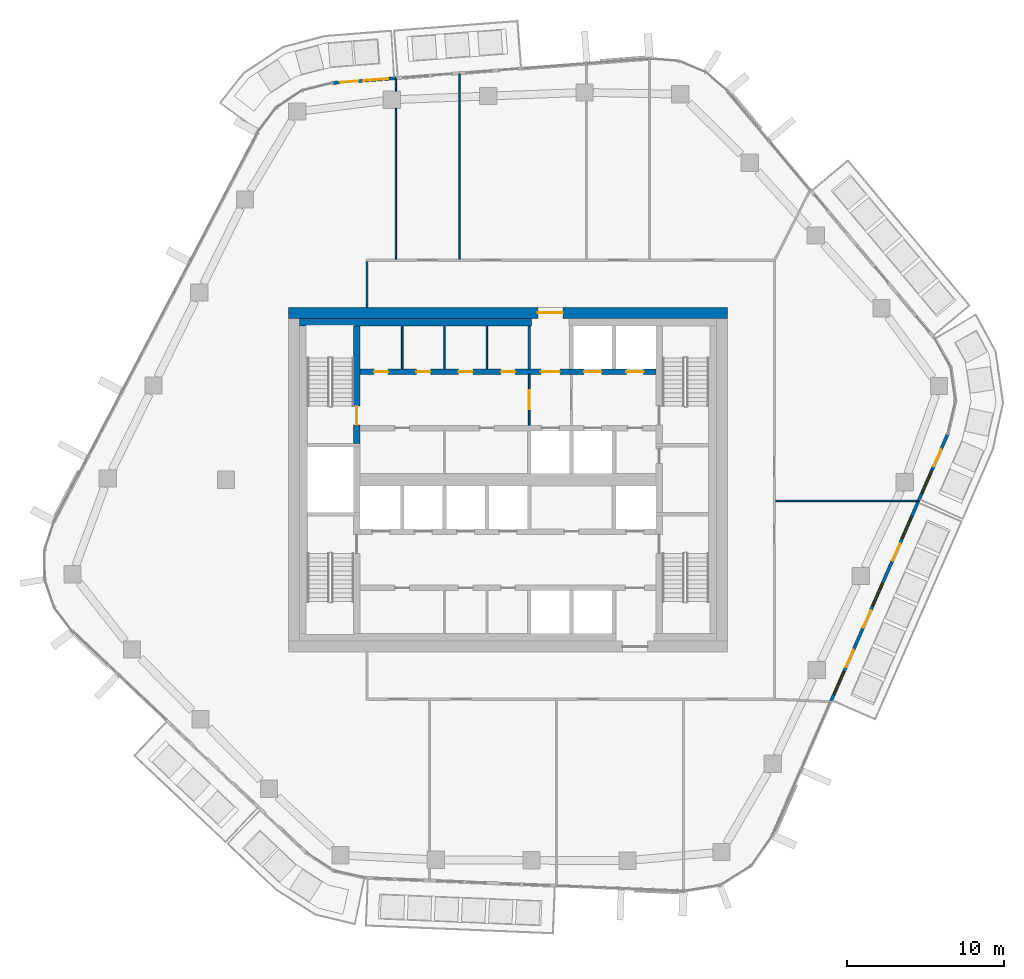
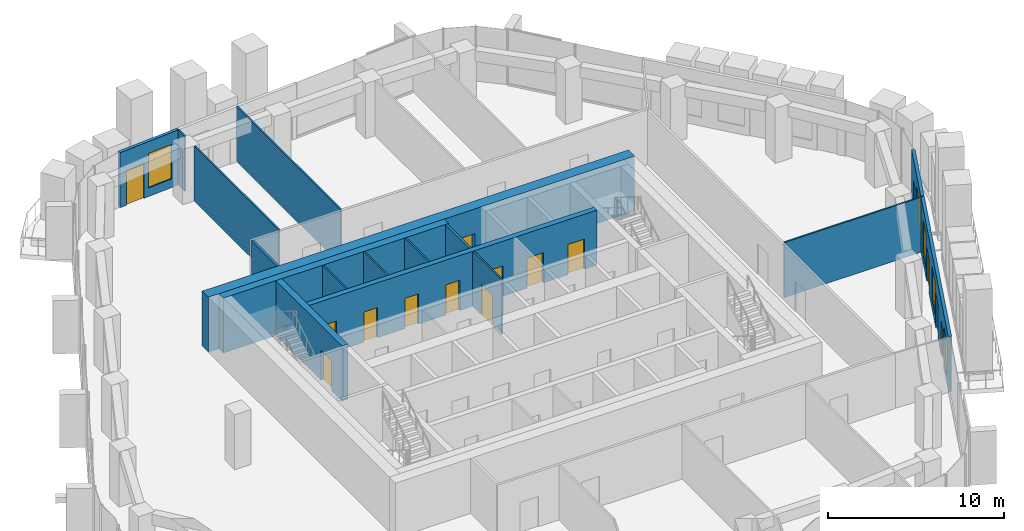
# One storey, part 12 of 20: 17 walls, 15 doors, 5 windows, 20 openings.
"""IFC4 building model written with IfcOpenShell, lengths in metres."""

from ifc_helpers import new_model, si_unit, direction, frame, frame_2d, origin, place, context, subcontext, project, spatial, rectangle, extrude, material, layer, layer_set, type_object, element, fill, save


model = new_model("IFC4")

# Units and contexts
model_context = context("Model", 3, precision=1e-05, world=origin(), true_north=direction((0.0, 1.0)))
body_context = subcontext(model_context, "Body", "Model", "MODEL_VIEW")
ifc_project = project(units=[si_unit("LENGTHUNIT", "METRE"), si_unit("AREAUNIT", "SQUARE_METRE"), si_unit("VOLUMEUNIT", "CUBIC_METRE"), si_unit("PLANEANGLEUNIT", "RADIAN"), si_unit("MASSUNIT", "GRAM", prefix="KILO")], contexts=[model_context])

# Site, building, storey
site_placement = place(None, origin())
site = spatial("IfcSite", under=ifc_project, at=site_placement, CompositionType="ELEMENT")
building_placement = place(site_placement, origin())
building = spatial("IfcBuilding", under=site, at=building_placement, Name="Dongbaek Canopy Tower", CompositionType="ELEMENT")
storey_placement = place(building_placement, frame((0.0, 0.0, 249.60009765625)))
storey = spatial("IfcBuildingStorey", under=building, at=storey_placement, Name="L52", CompositionType="ELEMENT", Elevation=249.60009765625)

# Wall, openings, doors
ifc_material_1 = material(Name="Concrete C60/75", Category="concrete")
ifc_layer_1 = layer(ifc_material_1, 0.35009765625)
ifc_layer_set_1 = layer_set([ifc_layer_1], Name="Core lobby wall 350 Concrete C60/75")
wall_type_1 = type_object("IfcWallType", Name="Core lobby wall 350 Concrete C60/75", PredefinedType="SHEAR", material=ifc_layer_set_1)
wall_1_placement = place(storey_placement, frame((-9.449951171875, 6.89990234375, 0.0), z_axis=(0.0, 0.0, 1.0), x_axis=(1.0, 0.0, 0.0)))
wall_1 = element("IfcWall", 1, at=wall_1_placement, inside=storey, type_object=wall_type_1, Name="Core wall", PredefinedType="SHEAR", context=body_context, shape_type="SweptSolid", body=[
    extrude(rectangle(XDim=18.89990234375, YDim=0.35009765625, at=frame_2d((9.449951171875, 0.0))), origin(), (0.0, 0.0, 1.0), 3.81982421875),
])
opening_1_placement = place(wall_1_placement, frame((11.550048828125, 0.0, 0.0)))
opening_1 = element("IfcOpeningElement", 2, at=opening_1_placement, cuts=wall_1, Name="Opening L52-D013", PredefinedType="OPENING", context=body_context, shape_type="SweptSolid", body=[
    extrude(rectangle(XDim=1.199951171875, YDim=2.10009765625, at=frame_2d((0.60009765625, 1.050048828125))), frame((0.0, 0.18505859375, 0.0), z_axis=(0.0, -1.0, 0.0), x_axis=(1.0, 0.0, 0.0)), (0.0, 0.0, 1.0), 0.3701171875),
])
opening_2_placement = place(wall_1_placement, frame((14.300048828125, 0.0, 0.0)))
opening_2 = element("IfcOpeningElement", 3, at=opening_2_placement, cuts=wall_1, Name="Opening L52-D014", PredefinedType="OPENING", context=body_context, shape_type="SweptSolid", body=[
    extrude(rectangle(XDim=1.10009765625, YDim=2.10009765625, at=frame_2d((0.550048828125, 1.050048828125))), frame((0.0, 0.18505859375, 0.0), z_axis=(0.0, -1.0, 0.0), x_axis=(1.0, 0.0, 0.0)), (0.0, 0.0, 1.0), 0.3701171875),
])
opening_3_placement = place(wall_1_placement, frame((17.0, 0.0, 0.0)))
opening_3 = element("IfcOpeningElement", 4, at=opening_3_placement, cuts=wall_1, Name="Opening L52-D015", PredefinedType="OPENING", context=body_context, shape_type="SweptSolid", body=[
    extrude(rectangle(XDim=1.10009765625, YDim=2.10009765625, at=frame_2d((0.550048828125, 1.050048828125))), frame((0.0, 0.18505859375, 0.0), z_axis=(0.0, -1.0, 0.0), x_axis=(1.0, 0.0, 0.0)), (0.0, 0.0, 1.0), 0.3701171875),
])
opening_4_placement = place(wall_1_placement, frame((0.89990234375, 0.0, 0.0)))
opening_4 = element("IfcOpeningElement", 5, at=opening_4_placement, cuts=wall_1, Name="Opening L52-D026", PredefinedType="OPENING", context=body_context, shape_type="SweptSolid", body=[
    extrude(rectangle(XDim=0.89990234375, YDim=2.10009765625, at=frame_2d((0.449951171875, 1.050048828125))), frame((0.0, 0.18505859375, 0.0), z_axis=(0.0, -1.0, 0.0), x_axis=(1.0, 0.0, 0.0)), (0.0, 0.0, 1.0), 0.3701171875),
])
opening_5_placement = place(wall_1_placement, frame((3.60009765625, 0.0, 0.0)))
opening_5 = element("IfcOpeningElement", 6, at=opening_5_placement, cuts=wall_1, Name="Opening L52-D027", PredefinedType="OPENING", context=body_context, shape_type="SweptSolid", body=[
    extrude(rectangle(XDim=0.89990234375, YDim=2.10009765625, at=frame_2d((0.449951171875, 1.050048828125))), frame((0.0, 0.18505859375, 0.0), z_axis=(0.0, -1.0, 0.0), x_axis=(1.0, 0.0, 0.0)), (0.0, 0.0, 1.0), 0.3701171875),
])
opening_6_placement = place(wall_1_placement, frame((6.300048828125, 0.0, 0.0)))
opening_6 = element("IfcOpeningElement", 7, at=opening_6_placement, cuts=wall_1, Name="Opening L52-D028", PredefinedType="OPENING", context=body_context, shape_type="SweptSolid", body=[
    extrude(rectangle(XDim=0.89990234375, YDim=2.10009765625, at=frame_2d((0.449951171875, 1.050048828125))), frame((0.0, 0.18505859375, 0.0), z_axis=(0.0, -1.0, 0.0), x_axis=(1.0, 0.0, 0.0)), (0.0, 0.0, 1.0), 0.3701171875),
])
opening_7_placement = place(wall_1_placement, frame((9.0, 0.0, 0.0)))
opening_7 = element("IfcOpeningElement", 8, at=opening_7_placement, cuts=wall_1, Name="Opening L52-D029", PredefinedType="OPENING", context=body_context, shape_type="SweptSolid", body=[
    extrude(rectangle(XDim=0.89990234375, YDim=2.10009765625, at=frame_2d((0.449951171875, 1.050048828125))), frame((0.0, 0.18505859375, 0.0), z_axis=(0.0, -1.0, 0.0), x_axis=(1.0, 0.0, 0.0)), (0.0, 0.0, 1.0), 0.3701171875),
])
ifc_material_2 = material(Name="Steel", Category="steel")
door_type_1 = type_object("IfcDoorType", Name="Core room door 900 x 2100", OperationType="SINGLE_SWING_LEFT", PredefinedType="DOOR", material=ifc_material_2)
door_1_placement = place(opening_4_placement, origin())
door_1 = element("IfcDoor", 9, at=door_1_placement, inside=storey, type_object=door_type_1, Name="Door L52-D026", OperationType="SINGLE_SWING_RIGHT", OverallHeight=2.10009765625, OverallWidth=0.89990234375, PredefinedType="DOOR", context=body_context, shape_type="SweptSolid", body=[
    extrude(rectangle(XDim=0.89990234375, YDim=2.10009765625, at=frame_2d((0.449951171875, 1.050048828125))), frame((0.0, 0.02490234375, 0.0), z_axis=(0.0, -1.0, 0.0), x_axis=(1.0, 0.0, 0.0)), (0.0, 0.0, 1.0), 0.050048828125),
])
fill(opening_4, door_1)
door_2_placement = place(opening_5_placement, origin())
door_2 = element("IfcDoor", 10, at=door_2_placement, inside=storey, type_object=door_type_1, Name="Door L52-D027", OperationType="SINGLE_SWING_LEFT", OverallHeight=2.10009765625, OverallWidth=0.89990234375, PredefinedType="DOOR", context=body_context, shape_type="SweptSolid", body=[
    extrude(rectangle(XDim=0.89990234375, YDim=2.10009765625, at=frame_2d((0.449951171875, 1.050048828125))), frame((0.0, 0.02490234375, 0.0), z_axis=(0.0, -1.0, 0.0), x_axis=(1.0, 0.0, 0.0)), (0.0, 0.0, 1.0), 0.050048828125),
])
fill(opening_5, door_2)
door_3_placement = place(opening_6_placement, origin())
door_3 = element("IfcDoor", 11, at=door_3_placement, inside=storey, type_object=door_type_1, Name="Door L52-D028", OperationType="SINGLE_SWING_RIGHT", OverallHeight=2.10009765625, OverallWidth=0.89990234375, PredefinedType="DOOR", context=body_context, shape_type="SweptSolid", body=[
    extrude(rectangle(XDim=0.89990234375, YDim=2.10009765625, at=frame_2d((0.449951171875, 1.050048828125))), frame((0.0, 0.02490234375, 0.0), z_axis=(0.0, -1.0, 0.0), x_axis=(1.0, 0.0, 0.0)), (0.0, 0.0, 1.0), 0.050048828125),
])
fill(opening_6, door_3)
door_4_placement = place(opening_7_placement, origin())
door_4 = element("IfcDoor", 12, at=door_4_placement, inside=storey, type_object=door_type_1, Name="Door L52-D029", OperationType="SINGLE_SWING_LEFT", OverallHeight=2.10009765625, OverallWidth=0.89990234375, PredefinedType="DOOR", context=body_context, shape_type="SweptSolid", body=[
    extrude(rectangle(XDim=0.89990234375, YDim=2.10009765625, at=frame_2d((0.449951171875, 1.050048828125))), frame((0.0, 0.02490234375, 0.0), z_axis=(0.0, -1.0, 0.0), x_axis=(1.0, 0.0, 0.0)), (0.0, 0.0, 1.0), 0.050048828125),
])
fill(opening_7, door_4)
ifc_material_3 = material(Name="Steel", Category="steel")
door_type_2 = type_object("IfcDoorType", Name="Fire lobby door 1200 x 2100", OperationType="SINGLE_SWING_LEFT", PredefinedType="DOOR", material=ifc_material_3)
door_5_placement = place(opening_1_placement, origin())
door_5 = element("IfcDoor", 13, at=door_5_placement, inside=storey, type_object=door_type_2, Name="Door L52-D013", OperationType="SINGLE_SWING_LEFT", OverallHeight=2.10009765625, OverallWidth=1.199951171875, PredefinedType="DOOR", context=body_context, shape_type="SweptSolid", body=[
    extrude(rectangle(XDim=1.199951171875, YDim=2.10009765625, at=frame_2d((0.60009765625, 1.050048828125))), frame((0.0, 0.02490234375, 0.0), z_axis=(0.0, -1.0, 0.0), x_axis=(1.0, 0.0, 0.0)), (0.0, 0.0, 1.0), 0.050048828125),
])
fill(opening_1, door_5)
ifc_material_4 = material(Name="Stainless steel", Category="steel")
door_type_3 = type_object("IfcDoorType", Name="Lift landing door 1100 x 2100", OperationType="DOUBLE_DOOR_SLIDING", PredefinedType="DOOR", material=ifc_material_4)
door_6_placement = place(opening_2_placement, origin())
door_6 = element("IfcDoor", 14, at=door_6_placement, inside=storey, type_object=door_type_3, Name="Landing door FF1", OperationType="DOUBLE_DOOR_SLIDING", OverallHeight=2.10009765625, OverallWidth=1.10009765625, PredefinedType="DOOR", context=body_context, shape_type="SweptSolid", body=[
    extrude(rectangle(XDim=1.10009765625, YDim=2.10009765625, at=frame_2d((0.550048828125, 1.050048828125))), frame((0.0, 0.02490234375, 0.0), z_axis=(0.0, -1.0, 0.0), x_axis=(1.0, 0.0, 0.0)), (0.0, 0.0, 1.0), 0.050048828125),
])
fill(opening_2, door_6)
door_7_placement = place(opening_3_placement, origin())
door_7 = element("IfcDoor", 15, at=door_7_placement, inside=storey, type_object=door_type_3, Name="Landing door FF2", OperationType="DOUBLE_DOOR_SLIDING", OverallHeight=2.10009765625, OverallWidth=1.10009765625, PredefinedType="DOOR", context=body_context, shape_type="SweptSolid", body=[
    extrude(rectangle(XDim=1.10009765625, YDim=2.10009765625, at=frame_2d((0.550048828125, 1.050048828125))), frame((0.0, 0.02490234375, 0.0), z_axis=(0.0, -1.0, 0.0), x_axis=(1.0, 0.0, 0.0)), (0.0, 0.0, 1.0), 0.050048828125),
])
fill(opening_3, door_7)

# Wall, opening, door
ifc_material_5 = material(Name="Concrete C70/85", Category="concrete")
ifc_layer_2 = layer(ifc_material_5, 0.699951171875)
ifc_layer_set_2 = layer_set([ifc_layer_2], Name="Core outer wall 700 Concrete C70/85")
wall_type_2 = type_object("IfcWallType", Name="Core outer wall 700 Concrete C70/85", PredefinedType="SHEAR", material=ifc_layer_set_2)
wall_2_placement = place(storey_placement, frame((-14.0, 10.64990234375, 0.0), z_axis=(0.0, 0.0, 1.0), x_axis=(1.0, 0.0, 0.0)))
wall_2 = element("IfcWall", 16, at=wall_2_placement, inside=storey, type_object=wall_type_2, Name="Core wall", PredefinedType="SHEAR", context=body_context, shape_type="SweptSolid", body=[
    extrude(rectangle(XDim=28.0, YDim=0.699951171875, at=frame_2d((14.0, 0.0))), origin(), (0.0, 0.0, 1.0), 3.81982421875),
])
opening_8_placement = place(wall_2_placement, frame((15.89990234375, 0.0, 0.0)))
opening_8 = element("IfcOpeningElement", 17, at=opening_8_placement, cuts=wall_2, Name="Opening L52-D012", PredefinedType="OPENING", context=body_context, shape_type="SweptSolid", body=[
    extrude(rectangle(XDim=1.60009765625, YDim=2.10009765625, at=frame_2d((0.800048828125, 1.050048828125))), frame((0.0, 0.35986328125, 0.0), z_axis=(0.0, -1.0, 0.0), x_axis=(1.0, 0.0, 0.0)), (0.0, 0.0, 1.0), 0.719970703125),
])
ifc_material_6 = material(Name="Steel", Category="steel")
door_type_4 = type_object("IfcDoorType", Name="Core exit door 1600 x 2100", OperationType="DOUBLE_DOOR_SINGLE_SWING", PredefinedType="DOOR", material=ifc_material_6)
door_8_placement = place(opening_8_placement, origin())
door_8 = element("IfcDoor", 18, at=door_8_placement, inside=storey, type_object=door_type_4, Name="Core exit door", OperationType="DOUBLE_DOOR_SINGLE_SWING", OverallHeight=2.10009765625, OverallWidth=1.60009765625, PredefinedType="DOOR", context=body_context, shape_type="SweptSolid", body=[
    extrude(rectangle(XDim=1.60009765625, YDim=2.10009765625, at=frame_2d((0.800048828125, 1.050048828125))), frame((0.0, 0.02490234375, 0.0), z_axis=(0.0, -1.0, 0.0), x_axis=(1.0, 0.0, 0.0)), (0.0, 0.0, 1.0), 0.050048828125),
])
fill(opening_8, door_8)

# Walls
ifc_material_7 = material(Name="Concrete C60/75", Category="concrete")
ifc_layer_3 = layer(ifc_material_7, 0.5)
ifc_layer_set_3 = layer_set([ifc_layer_3], Name="Core wall lining 500 Concrete C60/75")
wall_type_3 = type_object("IfcWallType", Name="Core wall lining 500 Concrete C60/75", PredefinedType="SHEAR", material=ifc_layer_set_3)
wall_3_placement = place(storey_placement, frame((-13.300048828125, 10.050048828125, 0.0), z_axis=(0.0, 0.0, 1.0), x_axis=(1.0, 0.0, 0.0)))
element("IfcWall", 19, at=wall_3_placement, inside=storey, type_object=wall_type_3, Name="Core wall lining", PredefinedType="SHEAR", context=body_context, shape_type="SweptSolid", body=[
    extrude(rectangle(XDim=14.800048828125, YDim=0.5, at=frame_2d((7.39990234375, 0.0))), origin(), (0.0, 0.0, 1.0), 3.81982421875),
])
ifc_material_8 = material(Name="Gypsum board partition, steel stud, 2 x 15 mm fire board", Category="steel")
ifc_layer_4 = layer(ifc_material_8, 0.14990234375)
ifc_layer_set_4 = layer_set([ifc_layer_4], Name="Fire-rated partition 150 gypsum board")
wall_type_4 = type_object("IfcWallType", Name="Fire-rated partition 150 gypsum board", PredefinedType="PARTITIONING", material=ifc_layer_set_4)
wall_4_placement = place(storey_placement, frame((-9.0, 11.0, 0.0), z_axis=(0.0, 0.0, 1.0), x_axis=(0.0, 1.0, 0.0)))
element("IfcWall", 20, at=wall_4_placement, inside=storey, type_object=wall_type_4, Name="Corridor partition", PredefinedType="PARTITIONING", context=body_context, shape_type="SweptSolid", body=[
    extrude(rectangle(XDim=2.925048828125, YDim=0.14990234375, at=frame_2d((1.46240234375, 0.0))), origin(), (0.0, 0.0, 1.0), 3.81982421875),
])
wall_5_placement = place(storey_placement, frame((1.35009765625, 7.074951171875, 0.0), z_axis=(0.0, 0.0, 1.0), x_axis=(0.0, 1.0, 0.0)))
element("IfcWall", 21, at=wall_5_placement, inside=storey, type_object=wall_type_4, Name="Fire lobby partition", PredefinedType="PARTITIONING", context=body_context, shape_type="SweptSolid", body=[
    extrude(rectangle(XDim=2.72509765625, YDim=0.14990234375, at=frame_2d((1.362548828125, 0.0))), origin(), (0.0, 0.0, 1.0), 3.81982421875),
])
ifc_material_9 = material(Name="Gypsum board partition, steel stud, 2 x 12.5 mm board", Category="steel")
ifc_layer_5 = layer(ifc_material_9, 0.10009765625)
ifc_layer_set_5 = layer_set([ifc_layer_5], Name="Partition 100 gypsum board")
wall_type_5 = type_object("IfcWallType", Name="Partition 100 gypsum board", PredefinedType="PARTITIONING", material=ifc_layer_set_5)
wall_6_placement = place(storey_placement, frame((17.074951171875, -1.341064453125, 0.0), z_axis=(0.0, 0.0, 1.0), x_axis=(1.0, 0.0, 0.0)))
element("IfcWall", 22, at=wall_6_placement, inside=storey, type_object=wall_type_5, Name="Partition", PredefinedType="PARTITIONING", context=body_context, shape_type="SweptSolid", body=[
    extrude(rectangle(XDim=9.090087890625, YDim=0.10009765625, at=frame_2d((4.544921875, 0.0))), origin(), (0.0, 0.0, 1.0), 3.81982421875),
])
wall_7_placement = place(storey_placement, frame((-3.10400390625, 14.074951171875, 0.0), z_axis=(0.0, 0.0, 1.0), x_axis=(0.0, 1.0, 0.0)))
element("IfcWall", 23, at=wall_7_placement, inside=storey, type_object=wall_type_5, Name="Partition", PredefinedType="PARTITIONING", context=body_context, shape_type="SweptSolid", body=[
    extrude(rectangle(XDim=11.83935546875, YDim=0.10009765625, at=frame_2d((5.919677734375, 0.0))), origin(), (0.0, 0.0, 1.0), 3.81982421875),
])
wall_8_placement = place(storey_placement, frame((-7.153076171875, 14.074951171875, 0.0), z_axis=(0.0, 0.0, 1.0), x_axis=(0.0, 1.0, 0.0)))
element("IfcWall", 24, at=wall_8_placement, inside=storey, type_object=wall_type_5, Name="Partition", PredefinedType="PARTITIONING", context=body_context, shape_type="SweptSolid", body=[
    extrude(rectangle(XDim=9.6181640625, YDim=0.10009765625, at=frame_2d((4.80908203125, 0.0))), origin(), (0.0, 0.0, 1.0), 3.81982421875),
])
wall_9_placement = place(storey_placement, frame((-7.153076171875, 24.79296875, 0.0), z_axis=(0.0, 0.0, 1.0), x_axis=(0.0, 1.0, 0.0)))
element("IfcWall", 25, at=wall_9_placement, inside=storey, type_object=wall_type_5, Name="Partition", PredefinedType="PARTITIONING", context=body_context, shape_type="SweptSolid", body=[
    extrude(rectangle(XDim=0.810546875, YDim=0.10009765625, at=frame_2d((0.4052734375, 0.0))), origin(), (0.0, 0.0, 1.0), 3.81982421875),
])

# Wall, opening, door
wall_10_placement = place(storey_placement, frame((1.35009765625, 6.72509765625, 0.0), z_axis=(0.0, 0.0, 1.0), x_axis=(0.0, -1.0, 0.0)))
wall_10 = element("IfcWall", 26, at=wall_10_placement, inside=storey, type_object=wall_type_5, Name="Core partition", PredefinedType="PARTITIONING", context=body_context, shape_type="SweptSolid", body=[
    extrude(rectangle(XDim=3.25, YDim=0.10009765625, at=frame_2d((1.625, 0.0))), origin(), (0.0, 0.0, 1.0), 3.81982421875),
])
opening_9_placement = place(wall_10_placement, frame((1.02490234375, 0.0, 0.0)))
opening_9 = element("IfcOpeningElement", 27, at=opening_9_placement, cuts=wall_10, Name="Opening L52-D040", PredefinedType="OPENING", context=body_context, shape_type="SweptSolid", body=[
    extrude(rectangle(XDim=1.199951171875, YDim=2.10009765625, at=frame_2d((0.60009765625, 1.050048828125))), frame((0.0, 0.06005859375, 0.0), z_axis=(0.0, -1.0, 0.0), x_axis=(1.0, 0.0, 0.0)), (0.0, 0.0, 1.0), 0.1201171875),
])
door_9_placement = place(opening_9_placement, origin())
door_9 = element("IfcDoor", 28, at=door_9_placement, inside=storey, type_object=door_type_2, Name="Door L52-D040", OperationType="SINGLE_SWING_LEFT", OverallHeight=2.10009765625, OverallWidth=1.199951171875, PredefinedType="DOOR", context=body_context, shape_type="SweptSolid", body=[
    extrude(rectangle(XDim=1.199951171875, YDim=2.10009765625, at=frame_2d((0.60009765625, 1.050048828125))), frame((0.0, 0.02490234375, 0.0), z_axis=(0.0, -1.0, 0.0), x_axis=(1.0, 0.0, 0.0)), (0.0, 0.0, 1.0), 0.050048828125),
])
fill(opening_9, door_9)

# Walls
for number, where, z_axis, x_axis, name in (
    (29, (-1.35009765625, 7.074951171875, 0.0), (0.0, 0.0, 1.0), (0.0, 1.0, 0.0), "Core partition"),
    (30, (-4.050048828125, 7.074951171875, 0.0), (0.0, 0.0, 1.0), (0.0, 1.0, 0.0), "Core partition"),
    (31, (-6.75, 7.074951171875, 0.0), (0.0, 0.0, 1.0), (0.0, 1.0, 0.0), "Core partition"),
):
    element("IfcWall", number, at=place(storey_placement, frame(where, z_axis=z_axis, x_axis=x_axis)), inside=storey, type_object=wall_type_5, Name=name, PredefinedType="PARTITIONING", context=body_context, shape_type="SweptSolid", body=[
        extrude(rectangle(XDim=2.72509765625, YDim=0.10009765625, at=frame_2d((1.362548828125, 0.0))), origin(), (0.0, 0.0, 1.0), 3.81982421875),
    ])

# Wall, opening, door
ifc_material_10 = material(Name="Concrete C60/75", Category="concrete")
ifc_layer_6 = layer(ifc_material_10, 0.39990234375)
ifc_layer_set_6 = layer_set([ifc_layer_6], Name="Stair wall 400 Concrete C60/75")
wall_type_6 = type_object("IfcWallType", Name="Stair wall 400 Concrete C60/75", PredefinedType="SHEAR", material=ifc_layer_set_6)
wall_11_placement = place(storey_placement, frame((-9.64990234375, 2.300048828125, 0.0), z_axis=(0.0, 0.0, 1.0), x_axis=(0.0, 1.0, 0.0)))
wall_11 = element("IfcWall", 32, at=wall_11_placement, inside=storey, type_object=wall_type_6, Name="Stair wall", PredefinedType="SHEAR", context=body_context, shape_type="SweptSolid", body=[
    extrude(rectangle(XDim=7.5, YDim=0.39990234375, at=frame_2d((3.75, 0.0))), origin(), (0.0, 0.0, 1.0), 3.81982421875),
])
opening_10_placement = place(wall_11_placement, frame((1.199951171875, 0.0, 0.0)))
opening_10 = element("IfcOpeningElement", 33, at=opening_10_placement, cuts=wall_11, Name="Opening L52-D037", PredefinedType="OPENING", context=body_context, shape_type="SweptSolid", body=[
    extrude(rectangle(XDim=1.199951171875, YDim=2.10009765625, at=frame_2d((0.60009765625, 1.050048828125))), frame((0.0, 0.2099609375, 0.0), z_axis=(0.0, -1.0, 0.0), x_axis=(1.0, 0.0, 0.0)), (0.0, 0.0, 1.0), 0.419921875),
])
ifc_material_11 = material(Name="Steel", Category="steel")
door_type_5 = type_object("IfcDoorType", Name="Stair door 1200 x 2100", OperationType="SINGLE_SWING_LEFT", PredefinedType="DOOR", material=ifc_material_11)
door_10_placement = place(opening_10_placement, origin())
door_10 = element("IfcDoor", 34, at=door_10_placement, inside=storey, type_object=door_type_5, Name="Stair C door", OperationType="SINGLE_SWING_RIGHT", OverallHeight=2.10009765625, OverallWidth=1.199951171875, PredefinedType="DOOR", context=body_context, shape_type="SweptSolid", body=[
    extrude(rectangle(XDim=1.199951171875, YDim=2.10009765625, at=frame_2d((0.60009765625, 1.050048828125))), frame((0.0, 0.02490234375, 0.0), z_axis=(0.0, -1.0, 0.0), x_axis=(1.0, 0.0, 0.0)), (0.0, 0.0, 1.0), 0.050048828125),
])
fill(opening_10, door_10)

# Wall, openings, door, window
ifc_material_12 = material(Name="Aluminium window wall", Category="aluminium")
ifc_layer_7 = layer(ifc_material_12, 0.199951171875)
ifc_layer_set_7 = layer_set([ifc_layer_7], Name="Window wall 200")
wall_type_7 = type_object("IfcWallType", Name="Window wall 200", PredefinedType="SOLIDWALL", material=ifc_layer_set_7)
wall_12_placement = place(storey_placement, frame((-7.153076171875, 25.62353515625, 0.0), z_axis=(0.0, 0.0, 1.0), x_axis=(-0.997068643963, -0.076512216183, 0.0)))
wall_12 = element("IfcWall", 35, at=wall_12_placement, inside=storey, type_object=wall_type_7, Name="Window wall L52 7", PredefinedType="SOLIDWALL", context=body_context, shape_type="SweptSolid", body=[
    extrude(rectangle(XDim=4.052490234375, YDim=0.199951171875, at=frame_2d((2.0263671875, 0.0))), origin(), (0.0, 0.0, 1.0), 3.81982421875),
])
opening_11_placement = place(wall_12_placement, frame((0.5, 0.0, 0.60009765625)))
opening_11 = element("IfcOpeningElement", 36, at=opening_11_placement, cuts=wall_12, Name="Opening W1", PredefinedType="OPENING", context=body_context, shape_type="SweptSolid", body=[
    extrude(rectangle(XDim=1.60009765625, YDim=2.39990234375, at=frame_2d((0.800048828125, 1.199951171875))), frame((0.0, 0.10986328125, 0.0), z_axis=(0.0, -1.0, 0.0), x_axis=(1.0, 0.0, 0.0)), (0.0, 0.0, 1.0), 0.219970703125),
])
opening_12_placement = place(wall_12_placement, frame((2.39990234375, 0.0, 0.0)))
opening_12 = element("IfcOpeningElement", 37, at=opening_12_placement, cuts=wall_12, Name="Opening L52-B06", PredefinedType="OPENING", context=body_context, shape_type="SweptSolid", body=[
    extrude(rectangle(XDim=1.199951171875, YDim=2.39990234375, at=frame_2d((0.60009765625, 1.199951171875))), frame((0.0, 0.10986328125, 0.0), z_axis=(0.0, -1.0, 0.0), x_axis=(1.0, 0.0, 0.0)), (0.0, 0.0, 1.0), 0.219970703125),
])
ifc_material_13 = material(Name="Clear glazing in aluminium frame", Category="aluminium")
door_type_6 = type_object("IfcDoorType", Name="Balcony door BD1 1200 x 2400", OperationType="SLIDING_TO_LEFT", PredefinedType="DOOR", material=ifc_material_13)
door_11_placement = place(opening_12_placement, origin())
door_11 = element("IfcDoor", 38, at=door_11_placement, inside=storey, type_object=door_type_6, Name="Balcony door L52-B06", OperationType="SLIDING_TO_LEFT", OverallHeight=2.39990234375, OverallWidth=1.199951171875, PredefinedType="DOOR", context=body_context, shape_type="SweptSolid", body=[
    extrude(rectangle(XDim=1.199951171875, YDim=2.39990234375, at=frame_2d((0.60009765625, 1.199951171875))), frame((0.0, 0.02490234375, 0.0), z_axis=(0.0, -1.0, 0.0), x_axis=(1.0, 0.0, 0.0)), (0.0, 0.0, 1.0), 0.050048828125),
])
fill(opening_12, door_11)
ifc_material_14 = material(Name="Clear glazing in aluminium frame", Category="aluminium")
window_type = type_object("IfcWindowType", Name="Window W1 1600 x 2400", PartitioningType="SINGLE_PANEL", PredefinedType="WINDOW", material=ifc_material_14)
window_1_placement = place(opening_11_placement, origin())
window_1 = element("IfcWindow", 39, at=window_1_placement, inside=storey, type_object=window_type, Name="Window L52 7.1", OverallHeight=2.39990234375, OverallWidth=1.60009765625, PartitioningType="SINGLE_PANEL", PredefinedType="WINDOW", context=body_context, shape_type="SweptSolid", body=[
    extrude(rectangle(XDim=1.60009765625, YDim=2.39990234375, at=frame_2d((0.800048828125, 1.199951171875))), frame((0.0, 0.030029296875, 0.0), z_axis=(0.0, -1.0, 0.0), x_axis=(1.0, 0.0, 0.0)), (0.0, 0.0, 1.0), 0.06005859375),
])
fill(opening_11, window_1)

# Wall, openings, doors, windows
wall_13_placement = place(storey_placement, frame((20.588134765625, -14.15771484375, 0.0), z_axis=(0.0, 0.0, 1.0), x_axis=(0.400286749381, 0.916389937892, 0.0)))
wall_13 = element("IfcWall", 40, at=wall_13_placement, inside=storey, type_object=wall_type_7, Name="Window wall L52 5", PredefinedType="SOLIDWALL", context=body_context, shape_type="SweptSolid", body=[
    extrude(rectangle(XDim=13.986572265625, YDim=0.199951171875, at=frame_2d((6.9931640625, 0.0))), origin(), (0.0, 0.0, 1.0), 3.81982421875),
])
opening_13_placement = place(wall_13_placement, frame((0.5, 0.0, 0.60009765625)))
opening_13 = element("IfcOpeningElement", 41, at=opening_13_placement, cuts=wall_13, Name="Opening W1", PredefinedType="OPENING", context=body_context, shape_type="SweptSolid", body=[
    extrude(rectangle(XDim=1.60009765625, YDim=2.39990234375, at=frame_2d((0.800048828125, 1.199951171875))), frame((0.0, 0.10986328125, 0.0), z_axis=(0.0, -1.0, 0.0), x_axis=(1.0, 0.0, 0.0)), (0.0, 0.0, 1.0), 0.219970703125),
])
opening_14_placement = place(wall_13_placement, frame((2.39990234375, 0.0, 0.0)))
opening_14 = element("IfcOpeningElement", 42, at=opening_14_placement, cuts=wall_13, Name="Opening L52-B13", PredefinedType="OPENING", context=body_context, shape_type="SweptSolid", body=[
    extrude(rectangle(XDim=1.199951171875, YDim=2.39990234375, at=frame_2d((0.60009765625, 1.199951171875))), frame((0.0, 0.10986328125, 0.0), z_axis=(0.0, -1.0, 0.0), x_axis=(1.0, 0.0, 0.0)), (0.0, 0.0, 1.0), 0.219970703125),
])
opening_15_placement = place(wall_13_placement, frame((6.662109375, 0.0, 0.60009765625)))
opening_15 = element("IfcOpeningElement", 43, at=opening_15_placement, cuts=wall_13, Name="Opening W1", PredefinedType="OPENING", context=body_context, shape_type="SweptSolid", body=[
    extrude(rectangle(XDim=1.60009765625, YDim=2.39990234375, at=frame_2d((0.800048828125, 1.199951171875))), frame((0.0, 0.10986328125, 0.0), z_axis=(0.0, -1.0, 0.0), x_axis=(1.0, 0.0, 0.0)), (0.0, 0.0, 1.0), 0.219970703125),
])
opening_16_placement = place(wall_13_placement, frame((5.162109375, 0.0, 0.0)))
opening_16 = element("IfcOpeningElement", 44, at=opening_16_placement, cuts=wall_13, Name="Opening L52-B14", PredefinedType="OPENING", context=body_context, shape_type="SweptSolid", body=[
    extrude(rectangle(XDim=1.199951171875, YDim=2.39990234375, at=frame_2d((0.60009765625, 1.199951171875))), frame((0.0, 0.10986328125, 0.0), z_axis=(0.0, -1.0, 0.0), x_axis=(1.0, 0.0, 0.0)), (0.0, 0.0, 1.0), 0.219970703125),
])
opening_17_placement = place(wall_13_placement, frame((11.324462890625, 0.0, 0.60009765625)))
opening_17 = element("IfcOpeningElement", 45, at=opening_17_placement, cuts=wall_13, Name="Opening W1", PredefinedType="OPENING", context=body_context, shape_type="SweptSolid", body=[
    extrude(rectangle(XDim=1.60009765625, YDim=2.39990234375, at=frame_2d((0.800048828125, 1.199951171875))), frame((0.0, 0.10986328125, 0.0), z_axis=(0.0, -1.0, 0.0), x_axis=(1.0, 0.0, 0.0)), (0.0, 0.0, 1.0), 0.219970703125),
])
opening_18_placement = place(wall_13_placement, frame((9.824462890625, 0.0, 0.0)))
opening_18 = element("IfcOpeningElement", 46, at=opening_18_placement, cuts=wall_13, Name="Opening L52-B15", PredefinedType="OPENING", context=body_context, shape_type="SweptSolid", body=[
    extrude(rectangle(XDim=1.199951171875, YDim=2.39990234375, at=frame_2d((0.60009765625, 1.199951171875))), frame((0.0, 0.10986328125, 0.0), z_axis=(0.0, -1.0, 0.0), x_axis=(1.0, 0.0, 0.0)), (0.0, 0.0, 1.0), 0.219970703125),
])
door_12_placement = place(opening_14_placement, origin())
door_12 = element("IfcDoor", 47, at=door_12_placement, inside=storey, type_object=door_type_6, Name="Balcony door L52-B13", OperationType="SLIDING_TO_LEFT", OverallHeight=2.39990234375, OverallWidth=1.199951171875, PredefinedType="DOOR", context=body_context, shape_type="SweptSolid", body=[
    extrude(rectangle(XDim=1.199951171875, YDim=2.39990234375, at=frame_2d((0.60009765625, 1.199951171875))), frame((0.0, 0.02490234375, 0.0), z_axis=(0.0, -1.0, 0.0), x_axis=(1.0, 0.0, 0.0)), (0.0, 0.0, 1.0), 0.050048828125),
])
fill(opening_14, door_12)
door_13_placement = place(opening_16_placement, origin())
door_13 = element("IfcDoor", 48, at=door_13_placement, inside=storey, type_object=door_type_6, Name="Balcony door L52-B14", OperationType="SLIDING_TO_LEFT", OverallHeight=2.39990234375, OverallWidth=1.199951171875, PredefinedType="DOOR", context=body_context, shape_type="SweptSolid", body=[
    extrude(rectangle(XDim=1.199951171875, YDim=2.39990234375, at=frame_2d((0.60009765625, 1.199951171875))), frame((0.0, 0.02490234375, 0.0), z_axis=(0.0, -1.0, 0.0), x_axis=(1.0, 0.0, 0.0)), (0.0, 0.0, 1.0), 0.050048828125),
])
fill(opening_16, door_13)
door_14_placement = place(opening_18_placement, origin())
door_14 = element("IfcDoor", 49, at=door_14_placement, inside=storey, type_object=door_type_6, Name="Balcony door L52-B15", OperationType="SLIDING_TO_LEFT", OverallHeight=2.39990234375, OverallWidth=1.199951171875, PredefinedType="DOOR", context=body_context, shape_type="SweptSolid", body=[
    extrude(rectangle(XDim=1.199951171875, YDim=2.39990234375, at=frame_2d((0.60009765625, 1.199951171875))), frame((0.0, 0.02490234375, 0.0), z_axis=(0.0, -1.0, 0.0), x_axis=(1.0, 0.0, 0.0)), (0.0, 0.0, 1.0), 0.050048828125),
])
fill(opening_18, door_14)
window_2_placement = place(opening_13_placement, origin())
window_2 = element("IfcWindow", 50, at=window_2_placement, inside=storey, type_object=window_type, Name="Window L52 5.1", OverallHeight=2.39990234375, OverallWidth=1.60009765625, PartitioningType="SINGLE_PANEL", PredefinedType="WINDOW", context=body_context, shape_type="SweptSolid", body=[
    extrude(rectangle(XDim=1.60009765625, YDim=2.39990234375, at=frame_2d((0.800048828125, 1.199951171875))), frame((0.0, 0.030029296875, 0.0), z_axis=(0.0, -1.0, 0.0), x_axis=(1.0, 0.0, 0.0)), (0.0, 0.0, 1.0), 0.06005859375),
])
fill(opening_13, window_2)
window_3_placement = place(opening_15_placement, origin())
window_3 = element("IfcWindow", 51, at=window_3_placement, inside=storey, type_object=window_type, Name="Window L52 5.2", OverallHeight=2.39990234375, OverallWidth=1.60009765625, PartitioningType="SINGLE_PANEL", PredefinedType="WINDOW", context=body_context, shape_type="SweptSolid", body=[
    extrude(rectangle(XDim=1.60009765625, YDim=2.39990234375, at=frame_2d((0.800048828125, 1.199951171875))), frame((0.0, 0.030029296875, 0.0), z_axis=(0.0, -1.0, 0.0), x_axis=(1.0, 0.0, 0.0)), (0.0, 0.0, 1.0), 0.06005859375),
])
fill(opening_15, window_3)
window_4_placement = place(opening_17_placement, origin())
window_4 = element("IfcWindow", 52, at=window_4_placement, inside=storey, type_object=window_type, Name="Window L52 5.3", OverallHeight=2.39990234375, OverallWidth=1.60009765625, PartitioningType="SINGLE_PANEL", PredefinedType="WINDOW", context=body_context, shape_type="SweptSolid", body=[
    extrude(rectangle(XDim=1.60009765625, YDim=2.39990234375, at=frame_2d((0.800048828125, 1.199951171875))), frame((0.0, 0.030029296875, 0.0), z_axis=(0.0, -1.0, 0.0), x_axis=(1.0, 0.0, 0.0)), (0.0, 0.0, 1.0), 0.06005859375),
])
fill(opening_17, window_4)

# Wall, openings, door, window
wall_14_placement = place(storey_placement, frame((26.186767578125, -1.340576171875, 0.0), z_axis=(0.0, 0.0, 1.0), x_axis=(0.400293036608, 0.916387191553, 0.0)))
wall_14 = element("IfcWall", 53, at=wall_14_placement, inside=storey, type_object=wall_type_7, Name="Window wall L52 6", PredefinedType="SOLIDWALL", context=body_context, shape_type="SweptSolid", body=[
    extrude(rectangle(XDim=4.653076171875, YDim=0.199951171875, at=frame_2d((2.32666015625, 0.0))), origin(), (0.0, 0.0, 1.0), 3.81982421875),
])
opening_19_placement = place(wall_14_placement, frame((0.5, 0.0, 0.60009765625)))
opening_19 = element("IfcOpeningElement", 54, at=opening_19_placement, cuts=wall_14, Name="Opening W1", PredefinedType="OPENING", context=body_context, shape_type="SweptSolid", body=[
    extrude(rectangle(XDim=1.60009765625, YDim=2.39990234375, at=frame_2d((0.800048828125, 1.199951171875))), frame((0.0, 0.10986328125, 0.0), z_axis=(0.0, -1.0, 0.0), x_axis=(1.0, 0.0, 0.0)), (0.0, 0.0, 1.0), 0.219970703125),
])
opening_20_placement = place(wall_14_placement, frame((2.39990234375, 0.0, 0.0)))
opening_20 = element("IfcOpeningElement", 55, at=opening_20_placement, cuts=wall_14, Name="Opening L52-B16", PredefinedType="OPENING", context=body_context, shape_type="SweptSolid", body=[
    extrude(rectangle(XDim=1.199951171875, YDim=2.39990234375, at=frame_2d((0.60009765625, 1.199951171875))), frame((0.0, 0.10986328125, 0.0), z_axis=(0.0, -1.0, 0.0), x_axis=(1.0, 0.0, 0.0)), (0.0, 0.0, 1.0), 0.219970703125),
])
door_15_placement = place(opening_20_placement, origin())
door_15 = element("IfcDoor", 56, at=door_15_placement, inside=storey, type_object=door_type_6, Name="Balcony door L52-B16", OperationType="SLIDING_TO_LEFT", OverallHeight=2.39990234375, OverallWidth=1.199951171875, PredefinedType="DOOR", context=body_context, shape_type="SweptSolid", body=[
    extrude(rectangle(XDim=1.199951171875, YDim=2.39990234375, at=frame_2d((0.60009765625, 1.199951171875))), frame((0.0, 0.02490234375, 0.0), z_axis=(0.0, -1.0, 0.0), x_axis=(1.0, 0.0, 0.0)), (0.0, 0.0, 1.0), 0.050048828125),
])
fill(opening_20, door_15)
window_5_placement = place(opening_19_placement, origin())
window_5 = element("IfcWindow", 57, at=window_5_placement, inside=storey, type_object=window_type, Name="Window L52 6.1", OverallHeight=2.39990234375, OverallWidth=1.60009765625, PartitioningType="SINGLE_PANEL", PredefinedType="WINDOW", context=body_context, shape_type="SweptSolid", body=[
    extrude(rectangle(XDim=1.60009765625, YDim=2.39990234375, at=frame_2d((0.800048828125, 1.199951171875))), frame((0.0, 0.030029296875, 0.0), z_axis=(0.0, -1.0, 0.0), x_axis=(1.0, 0.0, 0.0)), (0.0, 0.0, 1.0), 0.06005859375),
])
fill(opening_19, window_5)

save(model, "model.ifc")
